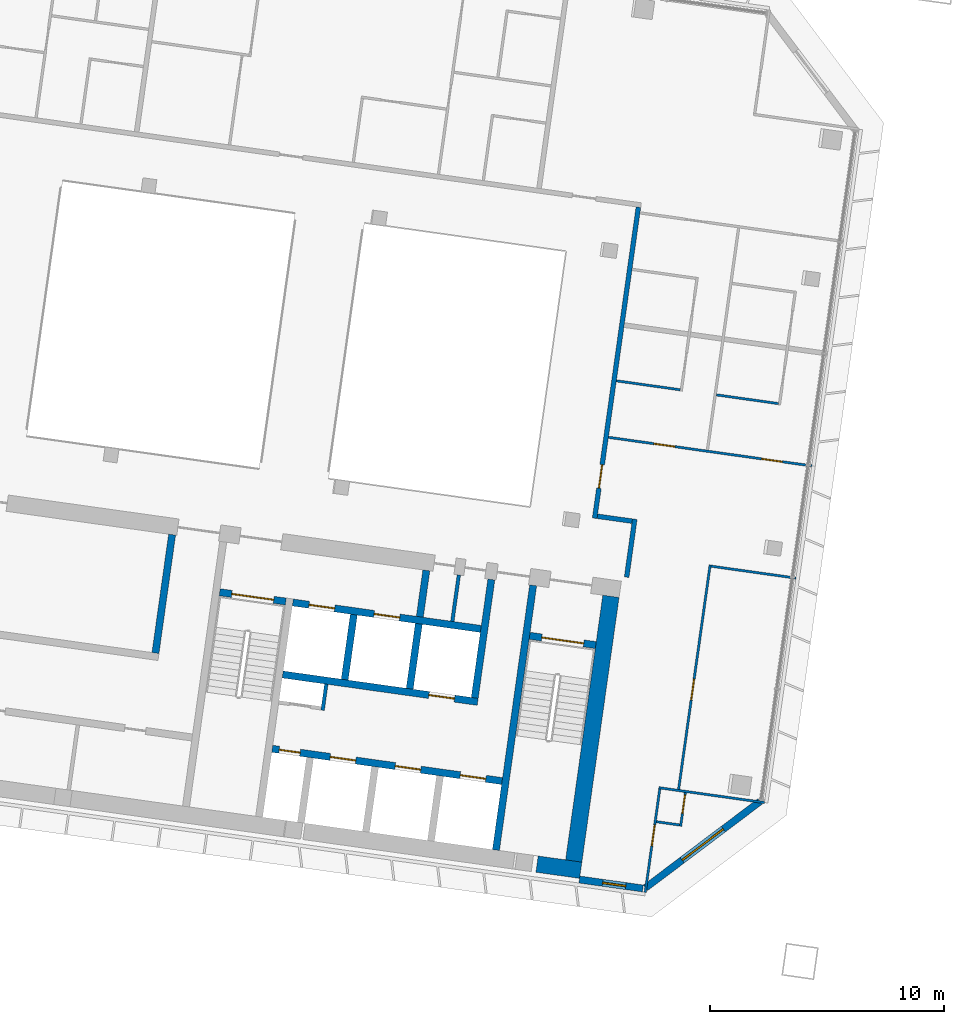
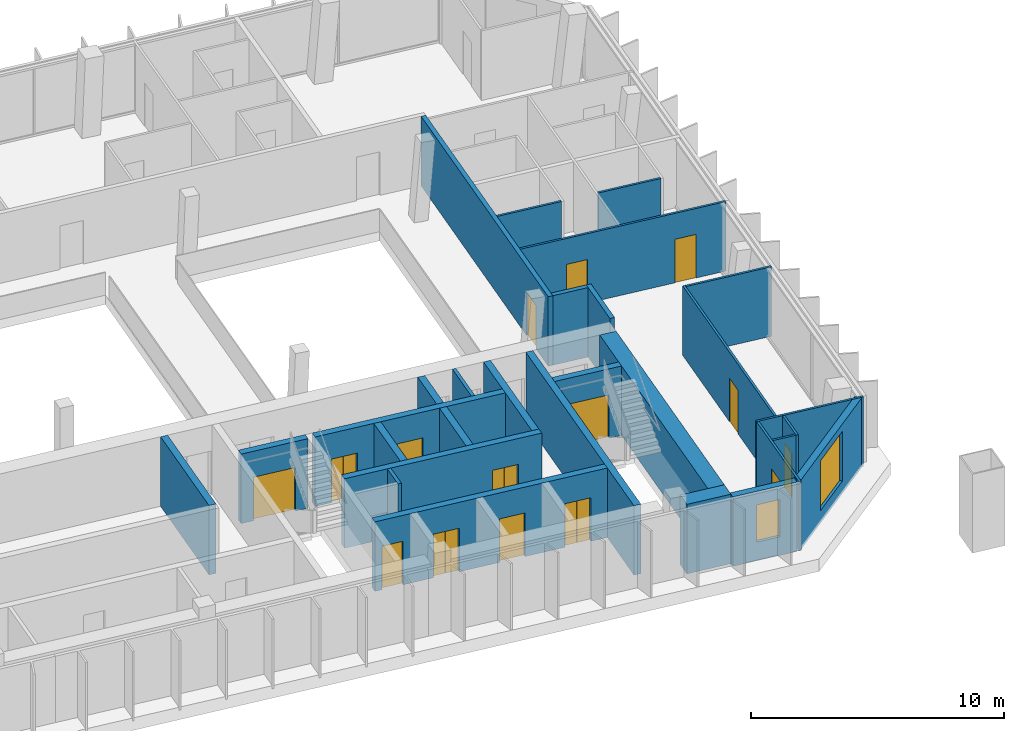
# One storey, part 14 of 23: 29 walls, 15 doors, 2 windows, 17 openings.
"""IFC4 building model written with IfcOpenShell, lengths in metres."""

from ifc_helpers import new_model, si_unit, direction, frame, frame_2d, origin, place, context, subcontext, project, spatial, rectangle, extrude, material, layer, layer_set, type_object, element, fill, save


model = new_model("IFC4")

# Units and contexts
model_context = context("Model", 3, precision=1e-05, world=origin(), true_north=direction((0.0, 1.0)))
body_context = subcontext(model_context, "Body", "Model", "MODEL_VIEW")
ifc_project = project(units=[si_unit("LENGTHUNIT", "METRE"), si_unit("AREAUNIT", "SQUARE_METRE"), si_unit("VOLUMEUNIT", "CUBIC_METRE"), si_unit("PLANEANGLEUNIT", "RADIAN"), si_unit("MASSUNIT", "GRAM", prefix="KILO")], contexts=[model_context])

# Site, building, storey
site_placement = place(None, origin())
site = spatial("IfcSite", under=ifc_project, at=site_placement, CompositionType="ELEMENT")
building_placement = place(site_placement, origin())
building = spatial("IfcBuilding", under=site, at=building_placement, Name="Mirante Cascada Hotel Towers", CompositionType="ELEMENT")
storey_placement = place(building_placement, frame((0.0, 0.0, 199.2)))
storey = spatial("IfcBuildingStorey", under=building, at=storey_placement, Name="L47", CompositionType="ELEMENT", Elevation=199.2)

# Walls
ifc_material_1 = material(Name="Fire-rated plasterboard on metal studs")
ifc_layer_1 = layer(ifc_material_1, 0.2)
ifc_layer_set_1 = layer_set([ifc_layer_1], Name="Compartment wall 200 EI 120")
wall_type_1 = type_object("IfcWallType", Name="Compartment wall 200 EI 120", PredefinedType="PARTITIONING", material=ifc_layer_set_1)
wall_1_placement = place(storey_placement, frame((-36.5138, -4.518, 0.0), z_axis=(0.0, 0.0, 1.0), x_axis=(0.9902735, -0.1391343, 0.0)))
element("IfcWall", 1, at=wall_1_placement, inside=storey, type_object=wall_type_1, Name="Wall 1-L47-07", PredefinedType="PARTITIONING", context=body_context, shape_type="SweptSolid", body=[
    extrude(rectangle(XDim=1.5, YDim=0.2, at=frame_2d((0.75, 0.0))), origin(), (0.0, 0.0, 1.0), 3.35),
])
wall_2_placement = place(storey_placement, frame((-34.9155, -4.6416, 0.0), z_axis=(0.0, 0.0, 1.0), x_axis=(-0.1391586, -0.9902701, 0.0)))
element("IfcWall", 2, at=wall_2_placement, inside=storey, type_object=wall_type_1, Name="Wall 1-L47-37", PredefinedType="PARTITIONING", context=body_context, shape_type="SweptSolid", body=[
    extrude(rectangle(XDim=2.5, YDim=0.2, at=frame_2d((1.25, 0.0))), origin(), (0.0, 0.0, 1.0), 3.35),
])

# Wall, opening, door
wall_3_placement = place(storey_placement, frame((-36.6268, -4.6031, 0.0), z_axis=(0.0, 0.0, 1.0), x_axis=(0.1391789, 0.9902673, 0.0)))
wall_3 = element("IfcWall", 3, at=wall_3_placement, inside=storey, type_object=wall_type_1, Name="Wall 1-L47-38", PredefinedType="PARTITIONING", context=body_context, shape_type="SweptSolid", body=[
    extrude(rectangle(XDim=13.4, YDim=0.2, at=frame_2d((6.7, 0.0))), origin(), (0.0, 0.0, 1.0), 3.35),
])
opening_1_placement = place(wall_3_placement, frame((1.3, 0.0, 0.0)))
opening_1 = element("IfcOpeningElement", 4, at=opening_1_placement, cuts=wall_3, Name="Opening D1-L47-24", PredefinedType="OPENING", context=body_context, shape_type="SweptSolid", body=[
    extrude(rectangle(XDim=1.0, YDim=2.1, at=frame_2d((0.5, 1.05))), frame((0.0, 0.1, 0.0), z_axis=(0.0, -1.0, 0.0), x_axis=(1.0, 0.0, 0.0)), (0.0, 0.0, 1.0), 0.2),
])
ifc_material_2 = material(Name="Fire-rated timber door leaf", Category="wood")
door_type_1 = type_object("IfcDoorType", Name="Entrance door DG1 1000x2100 EI 60", OperationType="SINGLE_SWING_LEFT", PredefinedType="DOOR", material=ifc_material_2)
door_1_placement = place(opening_1_placement, frame((1.0, 0.0, 0.0), z_axis=(0.0, 0.0, 1.0), x_axis=(-1.0, 0.0, 0.0)))
door_1 = element("IfcDoor", 5, at=door_1_placement, inside=storey, type_object=door_type_1, Name="Door D1-L47-24", OperationType="SINGLE_SWING_RIGHT", OverallHeight=2.1, OverallWidth=1.0, PredefinedType="DOOR", context=body_context, shape_type="SweptSolid", body=[
    extrude(rectangle(XDim=1.0, YDim=2.1, at=frame_2d((0.5, 1.05))), frame((0.0, 0.025, 0.0), z_axis=(0.0, -1.0, 0.0), x_axis=(1.0, 0.0, 0.0)), (0.0, 0.0, 1.0), 0.05),
])
fill(opening_1, door_1)

# Walls
ifc_material_3 = material(Name="Masonry block", Category="masonry")
ifc_layer_2 = layer(ifc_material_3, 0.15)
ifc_layer_set_2 = layer_set([ifc_layer_2], Name="Core room partition 150 block EI 30")
wall_type_2 = type_object("IfcWallType", Name="Core room partition 150 block EI 30", PredefinedType="PARTITIONING", material=ifc_layer_set_2)
wall_4_placement = place(storey_placement, frame((-48.2295, -12.793, 0.0), z_axis=(0.0, 0.0, 1.0), x_axis=(0.1391935, 0.9902652, 0.0)))
element("IfcWall", 6, at=wall_4_placement, inside=storey, type_object=wall_type_2, Name="Core wall partition T1 L47 2", PredefinedType="PARTITIONING", context=body_context, shape_type="SweptSolid", body=[
    extrude(rectangle(XDim=1.1251, YDim=0.15, at=frame_2d((0.5626, 0.0))), origin(), (0.0, 0.0, 1.0), 3.35),
])
wall_5_placement = place(storey_placement, frame((-42.6979, -9.0009, 0.0), z_axis=(0.0, 0.0, 1.0), x_axis=(0.1391529, 0.9902709, 0.0)))
element("IfcWall", 7, at=wall_5_placement, inside=storey, type_object=wall_type_2, Name="Core wall partition T1 L47 4", PredefinedType="PARTITIONING", context=body_context, shape_type="SweptSolid", body=[
    extrude(rectangle(XDim=2.0, YDim=0.15, at=frame_2d((1.0, 0.0))), origin(), (0.0, 0.0, 1.0), 3.35),
])
ifc_material_4 = material(Name="Masonry block", Category="masonry")
ifc_layer_3 = layer(ifc_material_4, 0.3)
ifc_layer_set_3 = layer_set([ifc_layer_3], Name="Core wall 300 block EI 120")
wall_type_3 = type_object("IfcWallType", Name="Core wall 300 block EI 120", PredefinedType="PARTITIONING", material=ifc_layer_set_3)
wall_6_placement = place(storey_placement, frame((-44.0843, -8.8061, 0.0), z_axis=(0.0, 0.0, 1.0), x_axis=(0.1391951, 0.990265, 0.0)))
element("IfcWall", 8, at=wall_6_placement, inside=storey, type_object=wall_type_3, Name="Core wall partition T1 L47 1", PredefinedType="PARTITIONING", context=body_context, shape_type="SweptSolid", body=[
    extrude(rectangle(XDim=2.0001, YDim=0.3, at=frame_2d((1.0001, 0.0))), origin(), (0.0, 0.0, 1.0), 3.35),
])
ifc_material_5 = material(Name="Plasterboard on metal studs")
ifc_layer_4 = layer(ifc_material_5, 0.1)
ifc_layer_set_4 = layer_set([ifc_layer_4], Name="Partition 100")
wall_type_4 = type_object("IfcWallType", Name="Partition 100", PredefinedType="PARTITIONING", material=ifc_layer_set_4)
wall_7_placement = place(storey_placement, frame((-33.995, -17.5453, 0.0), z_axis=(0.0, 0.0, 1.0), x_axis=(0.990265, -0.1391951, 0.0)))
element("IfcWall", 9, at=wall_7_placement, inside=storey, type_object=wall_type_4, Name="Wall 1-L47-01", PredefinedType="PARTITIONING", context=body_context, shape_type="SweptSolid", body=[
    extrude(rectangle(XDim=1.0, YDim=0.1, at=frame_2d((0.5, 0.0))), origin(), (0.0, 0.0, 1.0), 3.35),
])
wall_8_placement = place(storey_placement, frame((-29.3865, -16.7287, 0.0), z_axis=(0.0, 0.0, 1.0), x_axis=(-0.9902691, 0.1391656, 0.0)))
element("IfcWall", 10, at=wall_8_placement, inside=storey, type_object=wall_type_4, Name="Wall 1-L47-02", PredefinedType="PARTITIONING", context=body_context, shape_type="SweptSolid", body=[
    extrude(rectangle(XDim=4.55, YDim=0.1, at=frame_2d((2.275, 0.0))), origin(), (0.0, 0.0, 1.0), 3.35),
])
wall_9_placement = place(storey_placement, frame((-31.6586, -6.6477, 0.0), z_axis=(0.0, 0.0, 1.0), x_axis=(0.9902683, -0.1391714, 0.0)))
element("IfcWall", 11, at=wall_9_placement, inside=storey, type_object=wall_type_4, Name="Wall 1-L47-05", PredefinedType="PARTITIONING", context=body_context, shape_type="SweptSolid", body=[
    extrude(rectangle(XDim=3.6531, YDim=0.1, at=frame_2d((1.8266, 0.0))), origin(), (0.0, 0.0, 1.0), 3.35),
])

# Wall, openings, doors
wall_10_placement = place(storey_placement, frame((-27.3685, -2.3698, 0.0), z_axis=(0.0, 0.0, 1.0), x_axis=(-0.9902678, 0.1391749, 0.0)))
wall_10 = element("IfcWall", 12, at=wall_10_placement, inside=storey, type_object=wall_type_4, Name="Wall 1-L47-08", PredefinedType="PARTITIONING", context=body_context, shape_type="SweptSolid", body=[
    extrude(rectangle(XDim=8.7573, YDim=0.1, at=frame_2d((4.3787, 0.0))), origin(), (0.0, 0.0, 1.0), 3.35),
])
opening_2_placement = place(wall_10_placement, frame((1.2644, 0.0, 0.0)))
opening_2 = element("IfcOpeningElement", 13, at=opening_2_placement, cuts=wall_10, Name="Opening D1-L47-02", PredefinedType="OPENING", context=body_context, shape_type="SweptSolid", body=[
    extrude(rectangle(XDim=0.9, YDim=2.1, at=frame_2d((0.45, 1.05))), frame((0.0, 0.05, 0.0), z_axis=(0.0, -1.0, 0.0), x_axis=(1.0, 0.0, 0.0)), (0.0, 0.0, 1.0), 0.1),
])
opening_3_placement = place(wall_10_placement, frame((5.8931, 0.0, 0.0)))
opening_3 = element("IfcOpeningElement", 14, at=opening_3_placement, cuts=wall_10, Name="Opening D1-L47-03", PredefinedType="OPENING", context=body_context, shape_type="SweptSolid", body=[
    extrude(rectangle(XDim=0.9, YDim=2.1, at=frame_2d((0.45, 1.05))), frame((0.0, 0.05, 0.0), z_axis=(0.0, -1.0, 0.0), x_axis=(1.0, 0.0, 0.0)), (0.0, 0.0, 1.0), 0.1),
])
ifc_material_6 = material(Name="Timber door leaf", Category="wood")
door_type_2 = type_object("IfcDoorType", Name="Room door DG3 900x2100", OperationType="SINGLE_SWING_LEFT", PredefinedType="DOOR", material=ifc_material_6)
door_2_placement = place(opening_2_placement, origin())
door_2 = element("IfcDoor", 15, at=door_2_placement, inside=storey, type_object=door_type_2, Name="Door D1-L47-02", OperationType="SINGLE_SWING_LEFT", OverallHeight=2.1, OverallWidth=0.9, PredefinedType="DOOR", context=body_context, shape_type="SweptSolid", body=[
    extrude(rectangle(XDim=0.9, YDim=2.1, at=frame_2d((0.45, 1.05))), frame((0.0, 0.025, 0.0), z_axis=(0.0, -1.0, 0.0), x_axis=(1.0, 0.0, 0.0)), (0.0, 0.0, 1.0), 0.05),
])
fill(opening_2, door_2)
door_3_placement = place(opening_3_placement, origin())
door_3 = element("IfcDoor", 16, at=door_3_placement, inside=storey, type_object=door_type_2, Name="Door D1-L47-03", OperationType="SINGLE_SWING_LEFT", OverallHeight=2.1, OverallWidth=0.9, PredefinedType="DOOR", context=body_context, shape_type="SweptSolid", body=[
    extrude(rectangle(XDim=0.9, YDim=2.1, at=frame_2d((0.45, 1.05))), frame((0.0, 0.025, 0.0), z_axis=(0.0, -1.0, 0.0), x_axis=(1.0, 0.0, 0.0)), (0.0, 0.0, 1.0), 0.05),
])
fill(opening_3, door_3)

# Walls
wall_11_placement = place(storey_placement, frame((-31.4365, 0.6591, 0.0), z_axis=(0.0, 0.0, 1.0), x_axis=(0.9902667, -0.1391831, 0.0)))
element("IfcWall", 17, at=wall_11_placement, inside=storey, type_object=wall_type_4, Name="Wall 1-L47-11", PredefinedType="PARTITIONING", context=body_context, shape_type="SweptSolid", body=[
    extrude(rectangle(XDim=2.6713, YDim=0.1, at=frame_2d((1.3356, 0.0))), origin(), (0.0, 0.0, 1.0), 3.35),
])
wall_12_placement = place(storey_placement, frame((-32.9787, 0.8758, 0.0), z_axis=(0.0, 0.0, 1.0), x_axis=(-0.9902648, 0.1391963, 0.0)))
element("IfcWall", 18, at=wall_12_placement, inside=storey, type_object=wall_type_4, Name="Wall 1-L47-12", PredefinedType="PARTITIONING", context=body_context, shape_type="SweptSolid", body=[
    extrude(rectangle(XDim=2.7501, YDim=0.1, at=frame_2d((1.3751, 0.0))), origin(), (0.0, 0.0, 1.0), 3.35),
])

# Wall, opening, door
wall_13_placement = place(storey_placement, frame((-32.7603, -16.3051, 0.0), z_axis=(0.0, 0.0, 1.0), x_axis=(-0.1391809, -0.990267, 0.0)))
wall_13 = element("IfcWall", 19, at=wall_13_placement, inside=storey, type_object=wall_type_4, Name="Wall 1-L47-31", PredefinedType="PARTITIONING", context=body_context, shape_type="SweptSolid", body=[
    extrude(rectangle(XDim=1.4499, YDim=0.1, at=frame_2d((0.725, 0.0))), origin(), (0.0, 0.0, 1.0), 3.35),
])
opening_4_placement = place(wall_13_placement, frame((0.1, 0.0, 0.0)))
opening_4 = element("IfcOpeningElement", 20, at=opening_4_placement, cuts=wall_13, Name="Opening D1-L47-18", PredefinedType="OPENING", context=body_context, shape_type="SweptSolid", body=[
    extrude(rectangle(XDim=0.8, YDim=2.1, at=frame_2d((0.4, 1.05))), frame((0.0, 0.05, 0.0), z_axis=(0.0, -1.0, 0.0), x_axis=(1.0, 0.0, 0.0)), (0.0, 0.0, 1.0), 0.1),
])
ifc_material_7 = material(Name="Timber door leaf", Category="wood")
door_type_3 = type_object("IfcDoorType", Name="Bathroom door DG4 800x2100", OperationType="SINGLE_SWING_LEFT", PredefinedType="DOOR", material=ifc_material_7)
door_4_placement = place(opening_4_placement, frame((0.8, 0.0, 0.0), z_axis=(0.0, 0.0, 1.0), x_axis=(-1.0, 0.0, 0.0)))
door_4 = element("IfcDoor", 21, at=door_4_placement, inside=storey, type_object=door_type_3, Name="Door D1-L47-18", OperationType="SINGLE_SWING_RIGHT", OverallHeight=2.1, OverallWidth=0.8, PredefinedType="DOOR", context=body_context, shape_type="SweptSolid", body=[
    extrude(rectangle(XDim=0.8, YDim=2.1, at=frame_2d((0.4, 1.05))), frame((0.0, 0.025, 0.0), z_axis=(0.0, -1.0, 0.0), x_axis=(1.0, 0.0, 0.0)), (0.0, 0.0, 1.0), 0.05),
])
fill(opening_4, door_4)

wall_14_placement = place(storey_placement, frame((-33.0465, -16.1639, 0.0), z_axis=(0.0, 0.0, 1.0), x_axis=(0.1391776, 0.9902674, 0.0)))
wall_14 = element("IfcWall", 22, at=wall_14_placement, inside=storey, type_object=wall_type_4, Name="Wall 1-L47-32", PredefinedType="PARTITIONING", context=body_context, shape_type="SweptSolid", body=[
    extrude(rectangle(XDim=9.6668, YDim=0.1, at=frame_2d((4.8334, 0.0))), origin(), (0.0, 0.0, 1.0), 3.35),
])
opening_5_placement = place(wall_14_placement, frame((3.85, 0.0, 0.0)))
opening_5 = element("IfcOpeningElement", 23, at=opening_5_placement, cuts=wall_14, Name="Opening D1-L47-19", PredefinedType="OPENING", context=body_context, shape_type="SweptSolid", body=[
    extrude(rectangle(XDim=0.9, YDim=2.1, at=frame_2d((0.45, 1.05))), frame((0.0, 0.05, 0.0), z_axis=(0.0, -1.0, 0.0), x_axis=(1.0, 0.0, 0.0)), (0.0, 0.0, 1.0), 0.1),
])
door_5_placement = place(opening_5_placement, origin())
door_5 = element("IfcDoor", 24, at=door_5_placement, inside=storey, type_object=door_type_2, Name="Door D1-L47-19", OperationType="SINGLE_SWING_LEFT", OverallHeight=2.1, OverallWidth=0.9, PredefinedType="DOOR", context=body_context, shape_type="SweptSolid", body=[
    extrude(rectangle(XDim=0.9, YDim=2.1, at=frame_2d((0.45, 1.05))), frame((0.0, 0.025, 0.0), z_axis=(0.0, -1.0, 0.0), x_axis=(1.0, 0.0, 0.0)), (0.0, 0.0, 1.0), 0.05),
])
fill(opening_5, door_5)

wall_15_placement = place(storey_placement, frame((-33.8496, -16.152, 0.0), z_axis=(0.0, 0.0, 1.0), x_axis=(-0.1391904, -0.9902656, 0.0)))
wall_15 = element("IfcWall", 25, at=wall_15_placement, inside=storey, type_object=wall_type_4, Name="Wall 1-L47-33", PredefinedType="PARTITIONING", context=body_context, shape_type="SweptSolid", body=[
    extrude(rectangle(XDim=4.45, YDim=0.1, at=frame_2d((2.225, 0.0))), origin(), (0.0, 0.0, 1.0), 3.35),
])
opening_6_placement = place(wall_15_placement, frame((1.55, 0.0, 0.0)))
opening_6 = element("IfcOpeningElement", 26, at=opening_6_placement, cuts=wall_15, Name="Opening D1-L47-20", PredefinedType="OPENING", context=body_context, shape_type="SweptSolid", body=[
    extrude(rectangle(XDim=0.9, YDim=2.1, at=frame_2d((0.45, 1.05))), frame((0.0, 0.05, 0.0), z_axis=(0.0, -1.0, 0.0), x_axis=(1.0, 0.0, 0.0)), (0.0, 0.0, 1.0), 0.1),
])
door_6_placement = place(opening_6_placement, frame((0.9, 0.0, 0.0), z_axis=(0.0, 0.0, 1.0), x_axis=(-1.0, 0.0, 0.0)))
door_6 = element("IfcDoor", 27, at=door_6_placement, inside=storey, type_object=door_type_2, Name="Door D1-L47-20", OperationType="SINGLE_SWING_RIGHT", OverallHeight=2.1, OverallWidth=0.9, PredefinedType="DOOR", context=body_context, shape_type="SweptSolid", body=[
    extrude(rectangle(XDim=0.9, YDim=2.1, at=frame_2d((0.45, 1.05))), frame((0.0, 0.025, 0.0), z_axis=(0.0, -1.0, 0.0), x_axis=(1.0, 0.0, 0.0)), (0.0, 0.0, 1.0), 0.05),
])
fill(opening_6, door_6)

# Wall, opening, window
ifc_material_8 = material(Name="Precast concrete C40/50", Category="concrete")
ifc_layer_5 = layer(ifc_material_8, 0.3)
ifc_layer_set_5 = layer_set([ifc_layer_5], Name="Precast concrete C40/50 cladding wall 300")
wall_type_5 = type_object("IfcWallType", Name="Precast concrete C40/50 cladding wall 300", PredefinedType="STANDARD", material=ifc_layer_set_5)
wall_16_placement = place(storey_placement, frame((-34.571, -20.3928, 0.0), z_axis=(0.0, 0.0, 1.0), x_axis=(-0.9902682, 0.1391724, 0.0)))
wall_16 = element("IfcWall", 28, at=wall_16_placement, inside=storey, type_object=wall_type_5, Name="Rear cladding wall T1 L47 1", PredefinedType="STANDARD", context=body_context, shape_type="SweptSolid", body=[
    extrude(rectangle(XDim=2.7333, YDim=0.3, at=frame_2d((1.3666, 0.0))), origin(), (0.0, 0.0, 1.0), 3.35),
])
opening_7_placement = place(wall_16_placement, frame((0.7366, 0.0, 0.9)))
opening_7 = element("IfcOpeningElement", 29, at=opening_7_placement, cuts=wall_16, Name="Opening W1-47-05", PredefinedType="OPENING", context=body_context, shape_type="SweptSolid", body=[
    extrude(rectangle(XDim=1.0, YDim=1.8, at=frame_2d((0.5, 0.9))), frame((0.0, 0.15, 0.0), z_axis=(0.0, -1.0, 0.0), x_axis=(1.0, 0.0, 0.0)), (0.0, 0.0, 1.0), 0.3),
])
ifc_material_9 = material(Name="Aluminium frame with clear double glazing", Category="aluminium")
window_type_1 = type_object("IfcWindowType", Name="Punched window 1000x1800", PartitioningType="SINGLE_PANEL", PredefinedType="WINDOW", material=ifc_material_9)
window_1_placement = place(opening_7_placement, origin())
window_1 = element("IfcWindow", 30, at=window_1_placement, inside=storey, type_object=window_type_1, Name="Window W1-47-05", OverallHeight=1.8, OverallWidth=1.0, PartitioningType="SINGLE_PANEL", PredefinedType="WINDOW", context=body_context, shape_type="SweptSolid", body=[
    extrude(rectangle(XDim=1.0, YDim=1.8, at=frame_2d((0.5, 0.9))), frame((0.0, 0.03, 0.0), z_axis=(0.0, -1.0, 0.0), x_axis=(1.0, 0.0, 0.0)), (0.0, 0.0, 1.0), 0.06),
])
fill(opening_7, window_1)

wall_17_placement = place(storey_placement, frame((-29.5759, -16.6836, 0.0), z_axis=(0.0, 0.0, 1.0), x_axis=(-0.7986283, -0.6018245, 0.0)))
wall_17 = element("IfcWall", 31, at=wall_17_placement, inside=storey, type_object=wall_type_5, Name="Corner cladding wall T1 L47 inner rear", PredefinedType="STANDARD", context=body_context, shape_type="SweptSolid", body=[
    extrude(rectangle(XDim=6.1157, YDim=0.3, at=frame_2d((3.0578, 0.0))), origin(), (0.0, 0.0, 1.0), 3.35),
])
opening_8_placement = place(wall_17_placement, frame((1.9578, 0.0, 0.6)))
opening_8 = element("IfcOpeningElement", 32, at=opening_8_placement, cuts=wall_17, Name="Opening W1-47-04", PredefinedType="OPENING", context=body_context, shape_type="SweptSolid", body=[
    extrude(rectangle(XDim=2.2, YDim=2.4, at=frame_2d((1.1, 1.2))), frame((0.0, 0.15, 0.0), z_axis=(0.0, -1.0, 0.0), x_axis=(1.0, 0.0, 0.0)), (0.0, 0.0, 1.0), 0.3),
])
ifc_material_10 = material(Name="Aluminium frame with clear double glazing", Category="aluminium")
window_type_2 = type_object("IfcWindowType", Name="Corner suite window 2200x2400", PartitioningType="DOUBLE_PANEL_VERTICAL", PredefinedType="WINDOW", material=ifc_material_10)
window_2_placement = place(opening_8_placement, origin())
window_2 = element("IfcWindow", 33, at=window_2_placement, inside=storey, type_object=window_type_2, Name="Window W1-47-04", OverallHeight=2.4, OverallWidth=2.2, PartitioningType="SINGLE_PANEL", PredefinedType="WINDOW", context=body_context, shape_type="SweptSolid", body=[
    extrude(rectangle(XDim=2.2, YDim=2.4, at=frame_2d((1.1, 1.2))), frame((0.0, 0.03, 0.0), z_axis=(0.0, -1.0, 0.0), x_axis=(1.0, 0.0, 0.0)), (0.0, 0.0, 1.0), 0.06),
])
fill(opening_8, window_2)

# Wall
ifc_material_11 = material(Name="Concrete C50/60", Category="concrete")
ifc_layer_6 = layer(ifc_material_11, 0.3)
ifc_layer_set_6 = layer_set([ifc_layer_6], Name="RC core wall 300 C50/60")
wall_type_6 = type_object("IfcWallType", Name="RC core wall 300 C50/60", PredefinedType="SHEAR", material=ifc_layer_set_6)
wall_18_placement = place(storey_placement, frame((-40.8373, -18.7548, 0.0), z_axis=(0.0, 0.0, 1.0), x_axis=(0.1391749, 0.9902678, 0.0)))
element("IfcWall", 34, at=wall_18_placement, inside=storey, type_object=wall_type_6, Name="Core wall T1:L47:5", PredefinedType="SHEAR", context=body_context, shape_type="SweptSolid", body=[
    extrude(rectangle(XDim=11.4, YDim=0.3, at=frame_2d((5.7, 0.0))), origin(), (0.0, 0.0, 1.0), 3.35),
])

# Wall, opening, door
wall_19_placement = place(storey_placement, frame((-36.5791, -10.0123, 0.0), z_axis=(0.0, 0.0, 1.0), x_axis=(-0.9902704, 0.1391564, 0.0)))
wall_19 = element("IfcWall", 35, at=wall_19_placement, inside=storey, type_object=wall_type_6, Name="Core wall T1:L47:8", PredefinedType="SHEAR", context=body_context, shape_type="SweptSolid", body=[
    extrude(rectangle(XDim=2.85, YDim=0.3, at=frame_2d((1.425, 0.0))), origin(), (0.0, 0.0, 1.0), 3.35),
])
opening_9_placement = place(wall_19_placement, frame((0.525, 0.0, 0.0)))
opening_9 = element("IfcOpeningElement", 36, at=opening_9_placement, cuts=wall_19, Name="Opening D1-47-C07", PredefinedType="OPENING", context=body_context, shape_type="SweptSolid", body=[
    extrude(rectangle(XDim=1.8, YDim=2.1, at=frame_2d((0.9, 1.05))), frame((0.0, 0.15, 0.0), z_axis=(0.0, -1.0, 0.0), x_axis=(1.0, 0.0, 0.0)), (0.0, 0.0, 1.0), 0.3),
])
ifc_material_12 = material(Name="Hollow metal fire door leaf")
door_type_4 = type_object("IfcDoorType", Name="Double fire door 1800x2100 FD60", OperationType="DOUBLE_DOOR_SINGLE_SWING", PredefinedType="DOOR", material=ifc_material_12)
door_7_placement = place(opening_9_placement, origin())
door_7 = element("IfcDoor", 37, at=door_7_placement, inside=storey, type_object=door_type_4, Name="Stair door T1 L47 7", OperationType="DOUBLE_DOOR_SINGLE_SWING", OverallHeight=2.1, OverallWidth=1.8, PredefinedType="DOOR", context=body_context, shape_type="SweptSolid", body=[
    extrude(rectangle(XDim=0.895, YDim=2.1, at=frame_2d((0.4475, 1.05))), frame((0.0, 0.025, 0.0), z_axis=(0.0, -1.0, 0.0), x_axis=(1.0, 0.0, 0.0)), (0.0, 0.0, 1.0), 0.05),
    extrude(rectangle(XDim=0.895, YDim=2.1, at=frame_2d((1.3525, 1.05))), frame((0.0, 0.025, 0.0), z_axis=(0.0, -1.0, 0.0), x_axis=(1.0, 0.0, 0.0)), (0.0, 0.0, 1.0), 0.05),
])
fill(opening_9, door_7)

wall_20_placement = place(storey_placement, frame((-49.7992, -8.1544, 0.0), z_axis=(0.0, 0.0, 1.0), x_axis=(-0.9902656, 0.1391909, 0.0)))
wall_20 = element("IfcWall", 38, at=wall_20_placement, inside=storey, type_object=wall_type_6, Name="Core wall T1:L47:9", PredefinedType="SHEAR", context=body_context, shape_type="SweptSolid", body=[
    extrude(rectangle(XDim=2.85, YDim=0.3, at=frame_2d((1.425, 0.0))), origin(), (0.0, 0.0, 1.0), 3.35),
])
opening_10_placement = place(wall_20_placement, frame((0.525, 0.0, 0.0)))
opening_10 = element("IfcOpeningElement", 39, at=opening_10_placement, cuts=wall_20, Name="Opening D1-47-C09", PredefinedType="OPENING", context=body_context, shape_type="SweptSolid", body=[
    extrude(rectangle(XDim=1.8, YDim=2.1, at=frame_2d((0.9, 1.05))), frame((0.0, 0.15, 0.0), z_axis=(0.0, -1.0, 0.0), x_axis=(1.0, 0.0, 0.0)), (0.0, 0.0, 1.0), 0.3),
])
door_8_placement = place(opening_10_placement, origin())
door_8 = element("IfcDoor", 40, at=door_8_placement, inside=storey, type_object=door_type_4, Name="Stair door T1 L47 9", OperationType="DOUBLE_DOOR_SINGLE_SWING", OverallHeight=2.1, OverallWidth=1.8, PredefinedType="DOOR", context=body_context, shape_type="SweptSolid", body=[
    extrude(rectangle(XDim=0.895, YDim=2.1, at=frame_2d((0.4475, 1.05))), frame((0.0, 0.025, 0.0), z_axis=(0.0, -1.0, 0.0), x_axis=(1.0, 0.0, 0.0)), (0.0, 0.0, 1.0), 0.05),
    extrude(rectangle(XDim=0.895, YDim=2.1, at=frame_2d((1.3525, 1.05))), frame((0.0, 0.025, 0.0), z_axis=(0.0, -1.0, 0.0), x_axis=(1.0, 0.0, 0.0)), (0.0, 0.0, 1.0), 0.05),
])
fill(opening_10, door_8)

# Wall, openings, doors
wall_21_placement = place(storey_placement, frame((-40.5753, -15.8126, 0.0), z_axis=(0.0, 0.0, 1.0), x_axis=(-0.9902682, 0.1391725, 0.0)))
wall_21 = element("IfcWall", 41, at=wall_21_placement, inside=storey, type_object=wall_type_6, Name="Core wall T1:L47:10", PredefinedType="SHEAR", context=body_context, shape_type="SweptSolid", body=[
    extrude(rectangle(XDim=9.8999, YDim=0.3, at=frame_2d((4.95, 0.0))), origin(), (0.0, 0.0, 1.0), 3.35),
])
opening_11_placement = place(wall_21_placement, frame((0.7, 0.0, 0.0)))
opening_11 = element("IfcOpeningElement", 42, at=opening_11_placement, cuts=wall_21, Name="Opening LD", PredefinedType="OPENING", context=body_context, shape_type="SweptSolid", body=[
    extrude(rectangle(XDim=1.1, YDim=2.1, at=frame_2d((0.55, 1.05))), frame((0.0, 0.15, 0.0), z_axis=(0.0, -1.0, 0.0), x_axis=(1.0, 0.0, 0.0)), (0.0, 0.0, 1.0), 0.3),
])
opening_12_placement = place(wall_21_placement, frame((3.5, 0.0, 0.0)))
opening_12 = element("IfcOpeningElement", 43, at=opening_12_placement, cuts=wall_21, Name="Opening LD", PredefinedType="OPENING", context=body_context, shape_type="SweptSolid", body=[
    extrude(rectangle(XDim=1.1, YDim=2.1, at=frame_2d((0.55, 1.05))), frame((0.0, 0.15, 0.0), z_axis=(0.0, -1.0, 0.0), x_axis=(1.0, 0.0, 0.0)), (0.0, 0.0, 1.0), 0.3),
])
opening_13_placement = place(wall_21_placement, frame((6.3, 0.0, 0.0)))
opening_13 = element("IfcOpeningElement", 44, at=opening_13_placement, cuts=wall_21, Name="Opening LD", PredefinedType="OPENING", context=body_context, shape_type="SweptSolid", body=[
    extrude(rectangle(XDim=1.1, YDim=2.1, at=frame_2d((0.55, 1.05))), frame((0.0, 0.15, 0.0), z_axis=(0.0, -1.0, 0.0), x_axis=(1.0, 0.0, 0.0)), (0.0, 0.0, 1.0), 0.3),
])
opening_14_placement = place(wall_21_placement, frame((8.7, 0.0, 0.0)))
opening_14 = element("IfcOpeningElement", 45, at=opening_14_placement, cuts=wall_21, Name="Opening D1-47-C14", PredefinedType="OPENING", context=body_context, shape_type="SweptSolid", body=[
    extrude(rectangle(XDim=0.9, YDim=2.1, at=frame_2d((0.45, 1.05))), frame((0.0, 0.15, 0.0), z_axis=(0.0, -1.0, 0.0), x_axis=(1.0, 0.0, 0.0)), (0.0, 0.0, 1.0), 0.3),
])
ifc_material_13 = material(Name="Hollow metal fire door leaf")
door_type_5 = type_object("IfcDoorType", Name="Fire door 900x2100 FD60", OperationType="NOTDEFINED", PredefinedType="DOOR", material=ifc_material_13)
door_9_placement = place(opening_14_placement, origin())
door_9 = element("IfcDoor", 46, at=door_9_placement, inside=storey, type_object=door_type_5, Name="Riser door T1 L47 14", OperationType="SINGLE_SWING_LEFT", OverallHeight=2.1, OverallWidth=0.9, PredefinedType="DOOR", context=body_context, shape_type="SweptSolid", body=[
    extrude(rectangle(XDim=0.9, YDim=2.1, at=frame_2d((0.45, 1.05))), frame((0.0, 0.025, 0.0), z_axis=(0.0, -1.0, 0.0), x_axis=(1.0, 0.0, 0.0)), (0.0, 0.0, 1.0), 0.05),
])
fill(opening_14, door_9)
ifc_material_14 = material(Name="Stainless steel", Category="steel")
door_type_6 = type_object("IfcDoorType", Name="Lift landing door 1100x2100 EI 120", OperationType="DOUBLE_DOOR_SLIDING", PredefinedType="DOOR", material=ifc_material_14)
door_10_placement = place(opening_11_placement, origin())
door_10 = element("IfcDoor", 47, at=door_10_placement, inside=storey, type_object=door_type_6, Name="Lift landing door HR1-1 L47", OperationType="DOUBLE_DOOR_SLIDING", OverallHeight=2.1, OverallWidth=1.1, PredefinedType="DOOR", context=body_context, shape_type="SweptSolid", body=[
    extrude(rectangle(XDim=0.545, YDim=2.1, at=frame_2d((0.2725, 1.05))), frame((0.0, 0.025, 0.0), z_axis=(0.0, -1.0, 0.0), x_axis=(1.0, 0.0, 0.0)), (0.0, 0.0, 1.0), 0.05),
    extrude(rectangle(XDim=0.545, YDim=2.1, at=frame_2d((0.8275, 1.05))), frame((0.0, 0.025, 0.0), z_axis=(0.0, -1.0, 0.0), x_axis=(1.0, 0.0, 0.0)), (0.0, 0.0, 1.0), 0.05),
])
fill(opening_11, door_10)
door_11_placement = place(opening_12_placement, origin())
door_11 = element("IfcDoor", 48, at=door_11_placement, inside=storey, type_object=door_type_6, Name="Lift landing door HR1-2 L47", OperationType="DOUBLE_DOOR_SLIDING", OverallHeight=2.1, OverallWidth=1.1, PredefinedType="DOOR", context=body_context, shape_type="SweptSolid", body=[
    extrude(rectangle(XDim=0.545, YDim=2.1, at=frame_2d((0.2725, 1.05))), frame((0.0, 0.025, 0.0), z_axis=(0.0, -1.0, 0.0), x_axis=(1.0, 0.0, 0.0)), (0.0, 0.0, 1.0), 0.05),
    extrude(rectangle(XDim=0.545, YDim=2.1, at=frame_2d((0.8275, 1.05))), frame((0.0, 0.025, 0.0), z_axis=(0.0, -1.0, 0.0), x_axis=(1.0, 0.0, 0.0)), (0.0, 0.0, 1.0), 0.05),
])
fill(opening_12, door_11)
door_12_placement = place(opening_13_placement, origin())
door_12 = element("IfcDoor", 49, at=door_12_placement, inside=storey, type_object=door_type_6, Name="Lift landing door HR1-3 L47", OperationType="DOUBLE_DOOR_SLIDING", OverallHeight=2.1, OverallWidth=1.1, PredefinedType="DOOR", context=body_context, shape_type="SweptSolid", body=[
    extrude(rectangle(XDim=0.545, YDim=2.1, at=frame_2d((0.2725, 1.05))), frame((0.0, 0.025, 0.0), z_axis=(0.0, -1.0, 0.0), x_axis=(1.0, 0.0, 0.0)), (0.0, 0.0, 1.0), 0.05),
    extrude(rectangle(XDim=0.545, YDim=2.1, at=frame_2d((0.8275, 1.05))), frame((0.0, 0.025, 0.0), z_axis=(0.0, -1.0, 0.0), x_axis=(1.0, 0.0, 0.0)), (0.0, 0.0, 1.0), 0.05),
])
fill(opening_13, door_12)

# Wall, opening, door
wall_22_placement = place(storey_placement, frame((-41.6153, -12.435, 0.0), z_axis=(0.0, 0.0, 1.0), x_axis=(-0.9902691, 0.139166, 0.0)))
wall_22 = element("IfcWall", 50, at=wall_22_placement, inside=storey, type_object=wall_type_6, Name="Core wall T1:L47:11", PredefinedType="SHEAR", context=body_context, shape_type="SweptSolid", body=[
    extrude(rectangle(XDim=8.4, YDim=0.3, at=frame_2d((4.2, 0.0))), origin(), (0.0, 0.0, 1.0), 3.35),
])
opening_15_placement = place(wall_22_placement, frame((1.0, 0.0, 0.0)))
opening_15 = element("IfcOpeningElement", 51, at=opening_15_placement, cuts=wall_22, Name="Opening LD", PredefinedType="OPENING", context=body_context, shape_type="SweptSolid", body=[
    extrude(rectangle(XDim=1.1, YDim=2.1, at=frame_2d((0.55, 1.05))), frame((0.0, 0.15, 0.0), z_axis=(0.0, -1.0, 0.0), x_axis=(1.0, 0.0, 0.0)), (0.0, 0.0, 1.0), 0.3),
])
door_13_placement = place(opening_15_placement, origin())
door_13 = element("IfcDoor", 52, at=door_13_placement, inside=storey, type_object=door_type_6, Name="Lift landing door HR1-4 L47", OperationType="DOUBLE_DOOR_SLIDING", OverallHeight=2.1, OverallWidth=1.1, PredefinedType="DOOR", context=body_context, shape_type="SweptSolid", body=[
    extrude(rectangle(XDim=0.545, YDim=2.1, at=frame_2d((0.2725, 1.05))), frame((0.0, 0.025, 0.0), z_axis=(0.0, -1.0, 0.0), x_axis=(1.0, 0.0, 0.0)), (0.0, 0.0, 1.0), 0.05),
    extrude(rectangle(XDim=0.545, YDim=2.1, at=frame_2d((0.8275, 1.05))), frame((0.0, 0.025, 0.0), z_axis=(0.0, -1.0, 0.0), x_axis=(1.0, 0.0, 0.0)), (0.0, 0.0, 1.0), 0.05),
])
fill(opening_15, door_13)

# Wall, openings, doors
wall_23_placement = place(storey_placement, frame((-41.481, -9.3234, 0.0), z_axis=(0.0, 0.0, 1.0), x_axis=(-0.9902679, 0.1391741, 0.0)))
wall_23 = element("IfcWall", 53, at=wall_23_placement, inside=storey, type_object=wall_type_6, Name="Core wall T1:L47:12", PredefinedType="SHEAR", context=body_context, shape_type="SweptSolid", body=[
    extrude(rectangle(XDim=8.0999, YDim=0.3, at=frame_2d((4.05, 0.0))), origin(), (0.0, 0.0, 1.0), 3.35),
])
opening_16_placement = place(wall_23_placement, frame((3.5, 0.0, 0.0)))
opening_16 = element("IfcOpeningElement", 54, at=opening_16_placement, cuts=wall_23, Name="Opening LD", PredefinedType="OPENING", context=body_context, shape_type="SweptSolid", body=[
    extrude(rectangle(XDim=1.1, YDim=2.1, at=frame_2d((0.55, 1.05))), frame((0.0, 0.15, 0.0), z_axis=(0.0, -1.0, 0.0), x_axis=(1.0, 0.0, 0.0)), (0.0, 0.0, 1.0), 0.3),
])
opening_17_placement = place(wall_23_placement, frame((6.3, 0.0, 0.0)))
opening_17 = element("IfcOpeningElement", 55, at=opening_17_placement, cuts=wall_23, Name="Opening LD", PredefinedType="OPENING", context=body_context, shape_type="SweptSolid", body=[
    extrude(rectangle(XDim=1.1, YDim=2.1, at=frame_2d((0.55, 1.05))), frame((0.0, 0.15, 0.0), z_axis=(0.0, -1.0, 0.0), x_axis=(1.0, 0.0, 0.0)), (0.0, 0.0, 1.0), 0.3),
])
door_14_placement = place(opening_16_placement, origin())
door_14 = element("IfcDoor", 56, at=door_14_placement, inside=storey, type_object=door_type_6, Name="Lift landing door FF1 L47", OperationType="DOUBLE_DOOR_SLIDING", OverallHeight=2.1, OverallWidth=1.1, PredefinedType="DOOR", context=body_context, shape_type="SweptSolid", body=[
    extrude(rectangle(XDim=0.545, YDim=2.1, at=frame_2d((0.2725, 1.05))), frame((0.0, 0.025, 0.0), z_axis=(0.0, -1.0, 0.0), x_axis=(1.0, 0.0, 0.0)), (0.0, 0.0, 1.0), 0.05),
    extrude(rectangle(XDim=0.545, YDim=2.1, at=frame_2d((0.8275, 1.05))), frame((0.0, 0.025, 0.0), z_axis=(0.0, -1.0, 0.0), x_axis=(1.0, 0.0, 0.0)), (0.0, 0.0, 1.0), 0.05),
])
fill(opening_16, door_14)
door_15_placement = place(opening_17_placement, origin())
door_15 = element("IfcDoor", 57, at=door_15_placement, inside=storey, type_object=door_type_6, Name="Lift landing door FF2 L47", OperationType="DOUBLE_DOOR_SLIDING", OverallHeight=2.1, OverallWidth=1.1, PredefinedType="DOOR", context=body_context, shape_type="SweptSolid", body=[
    extrude(rectangle(XDim=0.545, YDim=2.1, at=frame_2d((0.2725, 1.05))), frame((0.0, 0.025, 0.0), z_axis=(0.0, -1.0, 0.0), x_axis=(1.0, 0.0, 0.0)), (0.0, 0.0, 1.0), 0.05),
    extrude(rectangle(XDim=0.545, YDim=2.1, at=frame_2d((0.8275, 1.05))), frame((0.0, 0.025, 0.0), z_axis=(0.0, -1.0, 0.0), x_axis=(1.0, 0.0, 0.0)), (0.0, 0.0, 1.0), 0.05),
])
fill(opening_17, door_15)

# Walls
for number, where, z_axis, x_axis, name in (
    (58, (-44.5157, -11.8759, 0.0), (0.0, 0.0, 1.0), (0.139181, 0.990267, 0.0), "Core wall T1:L47:16"),
    (59, (-47.2885, -11.4862, 0.0), (0.0, 0.0, 1.0), (0.139181, 0.990267, 0.0), "Core wall T1:L47:17"),
):
    element("IfcWall", number, at=place(storey_placement, frame(where, z_axis=z_axis, x_axis=x_axis)), inside=storey, type_object=wall_type_6, Name=name, PredefinedType="SHEAR", context=body_context, shape_type="SweptSolid", body=[
        extrude(rectangle(XDim=2.8, YDim=0.3, at=frame_2d((1.4, 0.0))), origin(), (0.0, 0.0, 1.0), 3.35),
    ])
for number, where, z_axis, x_axis, name in (
    (60, (-41.743, -12.2656, 0.0), (0.0, 0.0, 1.0), (0.1391755, 0.9902677, 0.0), "Core wall T1:L47:18"),
    (61, (-55.3592, -10.352, 0.0), (0.0, 0.0, 1.0), (0.1391755, 0.9902677, 0.0), "Core wall T1:L47:28"),
):
    element("IfcWall", number, at=place(storey_placement, frame(where, z_axis=z_axis, x_axis=x_axis)), inside=storey, type_object=wall_type_6, Name=name, PredefinedType="SHEAR", context=body_context, shape_type="SweptSolid", body=[
        extrude(rectangle(XDim=5.1, YDim=0.3, at=frame_2d((2.55, 0.0))), origin(), (0.0, 0.0, 1.0), 3.35),
    ])
ifc_material_15 = material(Name="Concrete C50/60", Category="concrete")
ifc_layer_7 = layer(ifc_material_15, 0.7)
ifc_layer_set_7 = layer_set([ifc_layer_7], Name="RC core wall 700 C50/60")
wall_type_7 = type_object("IfcWallType", Name="RC core wall 700 C50/60", PredefinedType="SHEAR", material=ifc_layer_set_7)
wall_24_placement = place(storey_placement, frame((-37.222, -19.6163, 0.0), z_axis=(0.0, 0.0, 1.0), x_axis=(-0.9902692, 0.1391652, 0.0)))
element("IfcWall", 62, at=wall_24_placement, inside=storey, type_object=wall_type_7, Name="Core wall T1:L47:1.1", PredefinedType="SHEAR", context=body_context, shape_type="SweptSolid", body=[
    extrude(rectangle(XDim=1.8805, YDim=0.7, at=frame_2d((0.9402, 0.0))), origin(), (0.0, 0.0, 1.0), 3.35),
])
wall_25_placement = place(storey_placement, frame((-37.5199, -19.221, 0.0), z_axis=(0.0, 0.0, 1.0), x_axis=(0.1391761, 0.9902677, 0.0)))
element("IfcWall", 63, at=wall_25_placement, inside=storey, type_object=wall_type_7, Name="Core wall T1:L47:3", PredefinedType="SHEAR", context=body_context, shape_type="SweptSolid", body=[
    extrude(rectangle(XDim=11.3999, YDim=0.7, at=frame_2d((5.7, 0.0))), origin(), (0.0, 0.0, 1.0), 3.35),
])

save(model, "model.ifc")
